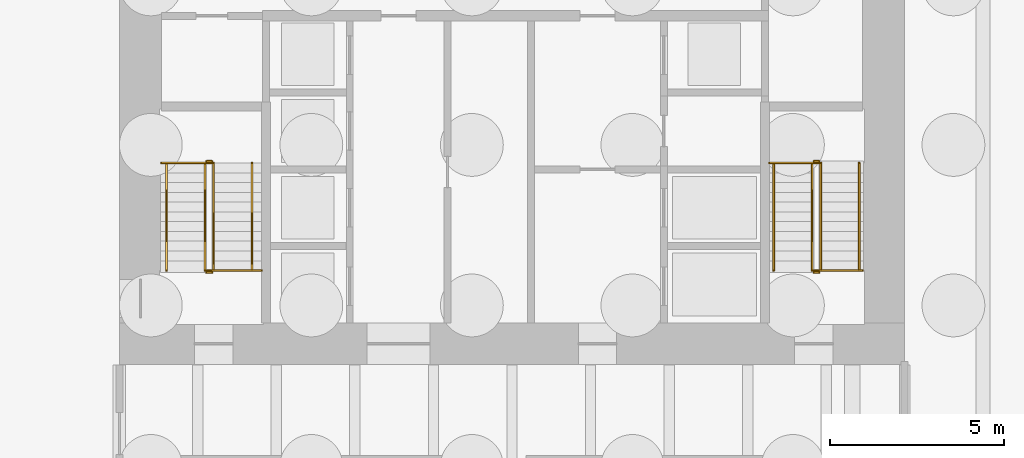
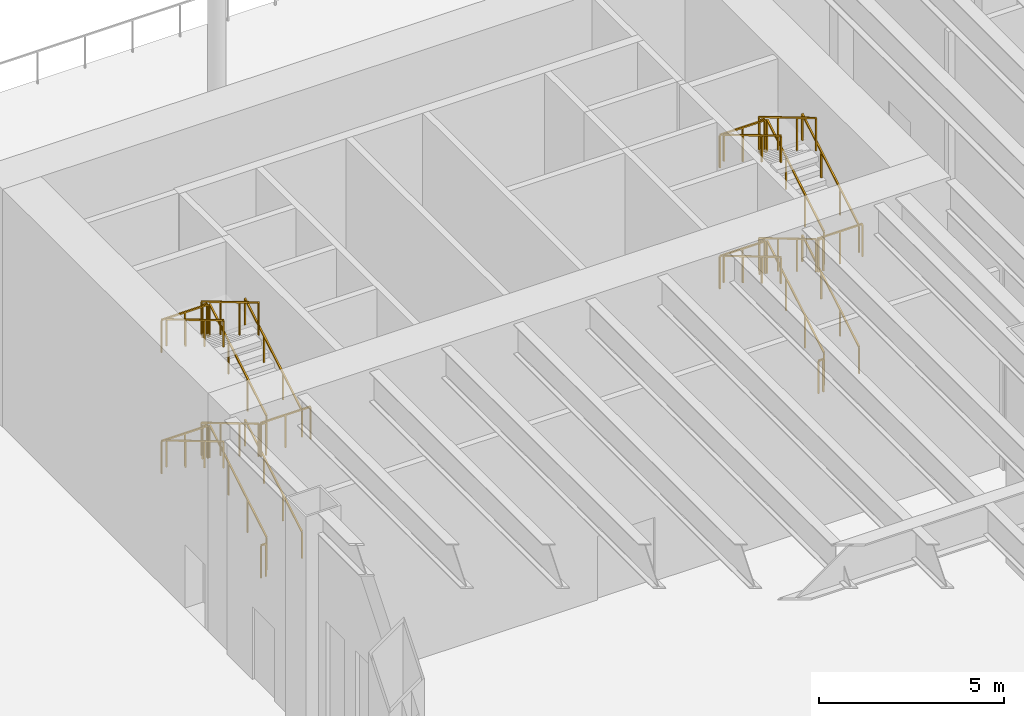
# One storey, part 19 of 26: 30 railings.
"""IFC4 building model written with IfcOpenShell, lengths in metres."""

import ifcopenshell
import ifcopenshell.guid

model = None  # the IFC model being written
_history = None  # IfcOwnerHistory: only IFC2X3 demands one
_inside = {}  # id of a spatial element -> (the spatial element, [elements in it])
_under = {}  # id of a project, library or spatial element -> (it, [spatial elements below it])
_declared = {}  # id of a project -> (the project, [libraries it declares])
_typed = {}  # id of a type object -> (the type object, [elements of that type])
_made_of = {}  # id of a material, layer set ... -> (it, [elements and type objects made of it])


def new_model(schema):
    """Start an empty IFC model of exactly this schema.

    Asked for "IFC4X3", IfcOpenShell would pick the latest addendum, in which some entities
    have other attributes; the version numbers below select the first issue.
    IFC2X3 requires an IfcOwnerHistory on every rooted entity: one is made here for all.
    """
    global model, _history
    if schema == "IFC4X3":
        model = ifcopenshell.file(schema_version=(4, 3, 0, 0))
    else:
        model = ifcopenshell.file(schema=schema)
    _inside.clear()
    _under.clear()
    _declared.clear()
    _typed.clear()
    _made_of.clear()
    _history = None
    if model.schema == "IFC2X3":
        org = make("IfcOrganization", Name="unknown")
        user = make(
            "IfcPersonAndOrganization",
            ThePerson=make("IfcPerson", FamilyName="unknown"),
            TheOrganization=org,
        )
        app = make(
            "IfcApplication",
            ApplicationDeveloper=org,
            Version="unknown",
            ApplicationFullName="unknown",
            ApplicationIdentifier="unknown",
        )
        _history = make(
            "IfcOwnerHistory",
            OwningUser=user,
            OwningApplication=app,
            ChangeAction="ADDED",
            CreationDate=0,
        )
    return model


def make(cls, **values):
    """One entity of the class cls with the attributes given. An attribute that is None is left unset."""
    return model.create_entity(
        cls, **{name: value for name, value in values.items() if value is not None}
    )


def rooted(cls, **values):
    """An entity with a GlobalId (a new one), such as an element, a storey or a relation."""
    return make(cls, GlobalId=ifcopenshell.guid.new(), OwnerHistory=_history, **values)


def si_unit(unit_type, name, prefix=None):
    """IfcSIUnit, for example si_unit("LENGTHUNIT", "METRE", prefix="MILLI")."""
    return make("IfcSIUnit", UnitType=unit_type, Prefix=prefix, Name=name)


def assignment(units):
    """IfcUnitAssignment: the units of a project."""
    return None if units is None else make("IfcUnitAssignment", Units=units)


def point(xyz):
    """IfcCartesianPoint."""
    return None if xyz is None else make("IfcCartesianPoint", Coordinates=xyz)


def direction(xyz):
    """IfcDirection."""
    return None if xyz is None else make("IfcDirection", DirectionRatios=xyz)


def frame(location, z_axis=None, x_axis=None):
    """IfcAxis2Placement3D, a coordinate frame: its origin and axes. An axis left out is left unset."""
    return make(
        "IfcAxis2Placement3D",
        Location=point(location),
        Axis=direction(z_axis),
        RefDirection=direction(x_axis),
    )


def frame_2d(location, x_axis=None):
    """IfcAxis2Placement2D, a coordinate frame in the plane: its origin and x axis."""
    return make(
        "IfcAxis2Placement2D", Location=point(location), RefDirection=direction(x_axis)
    )


def origin():
    """The frame at (0, 0, 0) with its axes left unset."""
    return frame((0.0, 0.0, 0.0))


def origin_2d():
    """The frame at (0, 0) in the plane with its x axis left unset."""
    return frame_2d((0.0, 0.0))


def place(relative_to, where):
    """IfcLocalPlacement: puts the frame where relative to a parent placement (None: the world)."""
    return make(
        "IfcLocalPlacement", PlacementRelTo=relative_to, RelativePlacement=where
    )


def context(
    kind, dimensions, precision=None, world=None, true_north=None, identifier=None
):
    """IfcGeometricRepresentationContext, for example the 3D "Model" context."""
    return make(
        "IfcGeometricRepresentationContext",
        ContextIdentifier=identifier,
        ContextType=kind,
        CoordinateSpaceDimension=dimensions,
        Precision=precision,
        WorldCoordinateSystem=world,
        TrueNorth=true_north,
    )


def subcontext(parent, identifier, kind, view, scale=None):
    """IfcGeometricRepresentationSubContext, for example "Body" below "Model"."""
    return make(
        "IfcGeometricRepresentationSubContext",
        ContextIdentifier=identifier,
        ContextType=kind,
        ParentContext=parent,
        TargetScale=scale,
        TargetView=view,
    )


def project(units=None, contexts=None):
    """IfcProject with its units and contexts."""
    return rooted(
        "IfcProject",
        Name="project",
        RepresentationContexts=contexts,
        UnitsInContext=assignment(units),
    )


def spatial(cls, under=None, at=None, **own):
    """A site, building, storey or space (cls), placed at a placement, below another one or the project."""
    s = rooted(cls, ObjectPlacement=at, **own)
    if under is not None:
        _under.setdefault(under.id(), (under, []))[1].append(s)
    return s


def profile(cls, at=None, kind="AREA", **sizes):
    """A parametric profile (cls). Its sizes go by their IFC names, for example OverallWidth=200.0."""
    return make(cls, ProfileType=kind, Position=at, **sizes)


def rectangle(**sizes):
    """IfcRectangleProfileDef."""
    return profile("IfcRectangleProfileDef", **sizes)


def extrude(swept, where, along, depth):
    """IfcExtrudedAreaSolid: the profile swept, set in the frame where, extruded along a direction by depth."""
    return make(
        "IfcExtrudedAreaSolid",
        SweptArea=swept,
        Position=where,
        ExtrudedDirection=direction(along),
        Depth=depth,
    )


def shape(context_of_items, identifier, shape_type, items):
    """IfcShapeRepresentation: the items that make up one representation, for example the "Body"."""
    return make(
        "IfcShapeRepresentation",
        ContextOfItems=context_of_items,
        RepresentationIdentifier=identifier,
        RepresentationType=shape_type,
        Items=items,
    )


def material(Name=None, Category=None):
    """IfcMaterial."""
    return make("IfcMaterial", Name=Name, Category=Category)


def made_of(thing, what):
    """Note that an element or type object is made of a material, layer set ...; save() writes the relation."""
    if what is not None:
        _made_of.setdefault(what.id(), (what, []))[1].append(thing)
    return thing


def type_object(cls, material=None, **own):
    """A type object (cls), such as IfcWallType, which elements share."""
    return made_of(rooted(cls, **own), material)


def element(
    cls,
    number,
    at=None,
    inside=None,
    cuts=None,
    type_object=None,
    material=None,
    context=None,
    identifier="Body",
    shape_type=None,
    held_by="IfcProductDefinitionShape",
    body=None,
    shapes=None,
    **own,
):
    """One element of the class cls, such as IfcWall. Its Tag is "e" and its number.

    at: its placement. inside: the storey or other place that contains it. cuts: it is an
    opening in that element (IfcRelVoidsElement). A single representation is given by context,
    identifier, shape_type and body (its items); several are given by shapes. held_by: the class
    of the entity that holds the representations. save() writes the other relations.
    """
    e = rooted(cls, Tag="e%d" % number, ObjectPlacement=at, **own)
    if body is not None:
        shapes = [shape(context, identifier, shape_type, body)]
    if shapes is not None:
        e.Representation = make(held_by, Representations=shapes)
    if inside is not None:
        _inside.setdefault(inside.id(), (inside, []))[1].append(e)
    if cuts is not None:
        rooted(
            "IfcRelVoidsElement", RelatingBuildingElement=cuts, RelatedOpeningElement=e
        )
    if type_object is not None:
        _typed.setdefault(type_object.id(), (type_object, []))[1].append(e)
    return made_of(e, material)


def aggregate(whole, parts):
    """IfcRelAggregates: a whole, such as a stair, and the parts it consists of."""
    return rooted("IfcRelAggregates", RelatingObject=whole, RelatedObjects=parts)


def save(model, path):
    """Write the relations noted so far, then the file.

    IfcRelAggregates (storeys below a building ...), IfcRelContainedInSpatialStructure (elements
    in a storey), IfcRelDefinesByType, IfcRelAssociatesMaterial and IfcRelDeclares: one each for
    every whole, place, type object, material and project.
    """
    for whole, parts in _under.values():
        aggregate(whole, parts)
    for where, things in _inside.values():
        rooted(
            "IfcRelContainedInSpatialStructure",
            RelatedElements=things,
            RelatingStructure=where,
        )
    for kind, things in _typed.values():
        rooted("IfcRelDefinesByType", RelatedObjects=things, RelatingType=kind)
    for what, things in _made_of.values():
        rooted("IfcRelAssociatesMaterial", RelatedObjects=things, RelatingMaterial=what)
    for by, libraries in _declared.values():
        rooted("IfcRelDeclares", RelatingContext=by, RelatedDefinitions=libraries)
    model.write(path)


model = new_model("IFC4")

# Units and contexts
model_context = context("Model", 3, precision=1e-05, world=origin(), true_north=direction((0.0, 1.0)))
body_context = subcontext(model_context, "Body", "Model", "MODEL_VIEW")
ifc_project = project(units=[si_unit("LENGTHUNIT", "METRE"), si_unit("AREAUNIT", "SQUARE_METRE"), si_unit("VOLUMEUNIT", "CUBIC_METRE"), si_unit("PLANEANGLEUNIT", "RADIAN"), si_unit("MASSUNIT", "GRAM", prefix="KILO")], contexts=[model_context])

# Site, building, storey
site_placement = place(None, origin())
site = spatial("IfcSite", under=ifc_project, at=site_placement, CompositionType="ELEMENT")
building_placement = place(site_placement, origin())
building = spatial("IfcBuilding", under=site, at=building_placement, Name="Sennacour Bend Tower", CompositionType="ELEMENT")
storey_placement = place(building_placement, origin())
storey = spatial("IfcBuildingStorey", under=building, at=storey_placement, Name="L00", CompositionType="ELEMENT", Elevation=0.0)

# Railings
ifc_material = material(Name="Stainless steel", Category="steel")
railing_type_1 = type_object("IfcRailingType", Name="RL-GUARD-1100", PredefinedType="GUARDRAIL", material=ifc_material)
railing_1_placement = place(storey_placement, frame((2.699951171875, 38.699951171875, 0.166748046875)))
element("IfcRailing", 1, at=railing_1_placement, inside=storey, type_object=railing_type_1, Name="L00 SB1 stair guard 1", PredefinedType="GUARDRAIL", context=body_context, shape_type="SweptSolid", body=[
    extrude(rectangle(XDim=0.048095703125, YDim=0.048095703125, at=origin_2d()), frame((0.0, 0.0, 1.076171875), z_axis=(0.0, 0.859308565015, 0.511457515432), x_axis=(-1.0, 0.0, 0.0)), (0.0, 0.0, 1.0), 3.58447265625),
    extrude(rectangle(XDim=0.0419921875, YDim=0.0419921875, at=origin_2d()), origin(), (0.0, 0.0, 1.0), 1.052001953125),
    extrude(rectangle(XDim=0.0419921875, YDim=0.0419921875, at=origin_2d()), frame((0.0, 1.026611328125, 0.611083984375)), (0.0, 0.0, 1.0), 1.052001953125),
    extrude(rectangle(XDim=0.0419921875, YDim=0.0419921875, at=origin_2d()), frame((0.0, 2.053466796875, 1.22216796875)), (0.0, 0.0, 1.0), 1.052001953125),
    extrude(rectangle(XDim=0.0419921875, YDim=0.0419921875, at=origin_2d()), frame((0.0, 3.080078125, 1.833251953125)), (0.0, 0.0, 1.0), 1.052001953125),
])
railing_2_placement = place(storey_placement, frame((2.64990234375, 41.830078125, 2.0)))
element("IfcRailing", 2, at=railing_2_placement, inside=storey, type_object=railing_type_1, Name="L00 SB1 stair guard 2", PredefinedType="GUARDRAIL", context=body_context, shape_type="SweptSolid", body=[
    extrude(rectangle(XDim=0.048095703125, YDim=0.048095703125, at=origin_2d()), frame((0.0, 0.0, 1.076171875), z_axis=(-1.0, 0.0, 0.0), x_axis=(0.0, -1.0, 0.0)), (0.0, 0.0, 1.0), 0.14990234375),
    extrude(rectangle(XDim=0.0419921875, YDim=0.0419921875, at=origin_2d()), origin(), (0.0, 0.0, 1.0), 1.052001953125),
    extrude(rectangle(XDim=0.0419921875, YDim=0.0419921875, at=origin_2d()), frame((-0.14990234375, 0.0, 0.0)), (0.0, 0.0, 1.0), 1.052001953125),
])
railing_3_placement = place(storey_placement, frame((2.449951171875, 41.780029296875, 2.166748046875)))
element("IfcRailing", 3, at=railing_3_placement, inside=storey, type_object=railing_type_1, Name="L00 SB1 stair guard 4", PredefinedType="GUARDRAIL", context=body_context, shape_type="SweptSolid", body=[
    extrude(rectangle(XDim=0.048095703125, YDim=0.048095703125, at=origin_2d()), frame((0.0, 0.0, 1.076171875), z_axis=(0.0, -0.859308565015, 0.511457515432), x_axis=(1.0, 0.0, 0.0)), (0.0, 0.0, 1.0), 3.58447265625),
    extrude(rectangle(XDim=0.0419921875, YDim=0.0419921875, at=origin_2d()), origin(), (0.0, 0.0, 1.0), 1.052001953125),
    extrude(rectangle(XDim=0.0419921875, YDim=0.0419921875, at=origin_2d()), frame((0.0, -1.026611328125, 0.611083984375)), (0.0, 0.0, 1.0), 1.052001953125),
    extrude(rectangle(XDim=0.0419921875, YDim=0.0419921875, at=origin_2d()), frame((0.0, -2.053466796875, 1.22216796875)), (0.0, 0.0, 1.0), 1.052001953125),
    extrude(rectangle(XDim=0.0419921875, YDim=0.0419921875, at=origin_2d()), frame((0.0, -3.080078125, 1.833251953125)), (0.0, 0.0, 1.0), 1.052001953125),
])
railing_4_placement = place(storey_placement, frame((2.64990234375, 38.64990234375, 4.0)))
element("IfcRailing", 4, at=railing_4_placement, inside=storey, type_object=railing_type_1, Name="L00 SB1 stair guard 5", PredefinedType="GUARDRAIL", context=body_context, shape_type="SweptSolid", body=[
    extrude(rectangle(XDim=0.048095703125, YDim=0.048095703125, at=origin_2d()), frame((0.0, 0.0, 1.076171875), z_axis=(-1.0, 0.0, 0.0), x_axis=(0.0, -1.0, 0.0)), (0.0, 0.0, 1.0), 0.14990234375),
    extrude(rectangle(XDim=0.0419921875, YDim=0.0419921875, at=origin_2d()), origin(), (0.0, 0.0, 1.0), 1.052001953125),
    extrude(rectangle(XDim=0.0419921875, YDim=0.0419921875, at=origin_2d()), frame((-0.14990234375, 0.0, 0.0)), (0.0, 0.0, 1.0), 1.052001953125),
])
railing_5_placement = place(storey_placement, frame((2.699951171875, 38.699951171875, 4.166748046875)))
element("IfcRailing", 5, at=railing_5_placement, inside=storey, type_object=railing_type_1, Name="L00 SB1 stair guard 8", PredefinedType="GUARDRAIL", context=body_context, shape_type="SweptSolid", body=[
    extrude(rectangle(XDim=0.048095703125, YDim=0.048095703125, at=origin_2d()), frame((0.0, 0.0, 1.076171875), z_axis=(0.0, 0.859308565015, 0.511457515432), x_axis=(-1.0, 0.0, 0.0)), (0.0, 0.0, 1.0), 3.58447265625),
    extrude(rectangle(XDim=0.0419921875, YDim=0.0419921875, at=origin_2d()), origin(), (0.0, 0.0, 1.0), 1.052001953125),
    extrude(rectangle(XDim=0.0419921875, YDim=0.0419921875, at=origin_2d()), frame((0.0, 1.026611328125, 0.611083984375)), (0.0, 0.0, 1.0), 1.052001953125),
    extrude(rectangle(XDim=0.0419921875, YDim=0.0419921875, at=origin_2d()), frame((0.0, 2.053466796875, 1.22216796875)), (0.0, 0.0, 1.0), 1.052001953125),
    extrude(rectangle(XDim=0.0419921875, YDim=0.0419921875, at=origin_2d()), frame((0.0, 3.080078125, 1.833251953125)), (0.0, 0.0, 1.0), 1.052001953125),
])
railing_6_placement = place(storey_placement, frame((2.64990234375, 41.830078125, 6.0)))
element("IfcRailing", 6, at=railing_6_placement, inside=storey, type_object=railing_type_1, Name="L00 SB1 stair guard 9", PredefinedType="GUARDRAIL", context=body_context, shape_type="SweptSolid", body=[
    extrude(rectangle(XDim=0.048095703125, YDim=0.048095703125, at=origin_2d()), frame((0.0, 0.0, 1.076171875), z_axis=(-1.0, 0.0, 0.0), x_axis=(0.0, -1.0, 0.0)), (0.0, 0.0, 1.0), 0.14990234375),
    extrude(rectangle(XDim=0.0419921875, YDim=0.0419921875, at=origin_2d()), origin(), (0.0, 0.0, 1.0), 1.052001953125),
    extrude(rectangle(XDim=0.0419921875, YDim=0.0419921875, at=origin_2d()), frame((-0.14990234375, 0.0, 0.0)), (0.0, 0.0, 1.0), 1.052001953125),
])
railing_7_placement = place(storey_placement, frame((2.449951171875, 41.780029296875, 6.166748046875)))
element("IfcRailing", 7, at=railing_7_placement, inside=storey, type_object=railing_type_1, Name="L00 SB1 stair guard 11", PredefinedType="GUARDRAIL", context=body_context, shape_type="SweptSolid", body=[
    extrude(rectangle(XDim=0.048095703125, YDim=0.048095703125, at=origin_2d()), frame((0.0, 0.0, 1.076171875), z_axis=(0.0, -0.859308565015, 0.511457515432), x_axis=(1.0, 0.0, 0.0)), (0.0, 0.0, 1.0), 3.58447265625),
    extrude(rectangle(XDim=0.0419921875, YDim=0.0419921875, at=origin_2d()), origin(), (0.0, 0.0, 1.0), 1.052001953125),
    extrude(rectangle(XDim=0.0419921875, YDim=0.0419921875, at=origin_2d()), frame((0.0, -1.026611328125, 0.611083984375)), (0.0, 0.0, 1.0), 1.052001953125),
    extrude(rectangle(XDim=0.0419921875, YDim=0.0419921875, at=origin_2d()), frame((0.0, -2.053466796875, 1.22216796875)), (0.0, 0.0, 1.0), 1.052001953125),
    extrude(rectangle(XDim=0.0419921875, YDim=0.0419921875, at=origin_2d()), frame((0.0, -3.080078125, 1.833251953125)), (0.0, 0.0, 1.0), 1.052001953125),
])
railing_8_placement = place(storey_placement, frame((2.64990234375, 38.64990234375, 0.0)))
element("IfcRailing", 8, at=railing_8_placement, inside=storey, type_object=railing_type_1, Name="L00 SB1 stair guard 12", PredefinedType="GUARDRAIL", context=body_context, shape_type="SweptSolid", body=[
    extrude(rectangle(XDim=0.048095703125, YDim=0.048095703125, at=origin_2d()), frame((0.0, 0.0, 1.076171875), z_axis=(-1.0, 0.0, 0.0), x_axis=(0.0, -1.0, 0.0)), (0.0, 0.0, 1.0), 0.14990234375),
    extrude(rectangle(XDim=0.0419921875, YDim=0.0419921875, at=origin_2d()), origin(), (0.0, 0.0, 1.0), 1.052001953125),
    extrude(rectangle(XDim=0.0419921875, YDim=0.0419921875, at=origin_2d()), frame((-0.14990234375, 0.0, 0.0)), (0.0, 0.0, 1.0), 1.052001953125),
])
railing_9_placement = place(storey_placement, frame((2.64990234375, 41.780029296875, 2.0)))
element("IfcRailing", 9, at=railing_9_placement, inside=storey, type_object=railing_type_1, Name="L00 SB1 landing edge guard 1", PredefinedType="GUARDRAIL", context=body_context, shape_type="SweptSolid", body=[
    extrude(rectangle(XDim=0.048095703125, YDim=0.048095703125, at=origin_2d()), frame((0.0, 0.0, 1.076171875), z_axis=(-1.0, 0.0, 0.0), x_axis=(0.0, -1.0, 0.0)), (0.0, 0.0, 1.0), 1.449951171875),
    extrude(rectangle(XDim=0.0419921875, YDim=0.0419921875, at=origin_2d()), origin(), (0.0, 0.0, 1.0), 1.052001953125),
    extrude(rectangle(XDim=0.0419921875, YDim=0.0419921875, at=origin_2d()), frame((-0.72509765625, 0.0, 0.0)), (0.0, 0.0, 1.0), 1.052001953125),
    extrude(rectangle(XDim=0.0419921875, YDim=0.0419921875, at=origin_2d()), frame((-1.449951171875, 0.0, 0.0)), (0.0, 0.0, 1.0), 1.052001953125),
])
railing_10_placement = place(storey_placement, frame((2.5, 38.699951171875, 4.0)))
element("IfcRailing", 10, at=railing_10_placement, inside=storey, type_object=railing_type_1, Name="L00 SB1 landing edge guard 2", PredefinedType="GUARDRAIL", context=body_context, shape_type="SweptSolid", body=[
    extrude(rectangle(XDim=0.048095703125, YDim=0.048095703125, at=origin_2d()), frame((0.0, 0.0, 1.076171875), z_axis=(1.0, 0.0, 0.0), x_axis=(0.0, 1.0, 0.0)), (0.0, 0.0, 1.0), 1.574951171875),
    extrude(rectangle(XDim=0.0419921875, YDim=0.0419921875, at=origin_2d()), origin(), (0.0, 0.0, 1.0), 1.052001953125),
    extrude(rectangle(XDim=0.0419921875, YDim=0.0419921875, at=origin_2d()), frame((0.78759765625, 0.0, 0.0)), (0.0, 0.0, 1.0), 1.052001953125),
    extrude(rectangle(XDim=0.0419921875, YDim=0.0419921875, at=origin_2d()), frame((1.574951171875, 0.0, 0.0)), (0.0, 0.0, 1.0), 1.052001953125),
])
railing_11_placement = place(storey_placement, frame((2.64990234375, 41.780029296875, 6.0)))
element("IfcRailing", 11, at=railing_11_placement, inside=storey, type_object=railing_type_1, Name="L00 SB1 landing edge guard 3", PredefinedType="GUARDRAIL", context=body_context, shape_type="SweptSolid", body=[
    extrude(rectangle(XDim=0.048095703125, YDim=0.048095703125, at=origin_2d()), frame((0.0, 0.0, 1.076171875), z_axis=(-1.0, 0.0, 0.0), x_axis=(0.0, -1.0, 0.0)), (0.0, 0.0, 1.0), 1.449951171875),
    extrude(rectangle(XDim=0.0419921875, YDim=0.0419921875, at=origin_2d()), origin(), (0.0, 0.0, 1.0), 1.052001953125),
    extrude(rectangle(XDim=0.0419921875, YDim=0.0419921875, at=origin_2d()), frame((-0.72509765625, 0.0, 0.0)), (0.0, 0.0, 1.0), 1.052001953125),
    extrude(rectangle(XDim=0.0419921875, YDim=0.0419921875, at=origin_2d()), frame((-1.449951171875, 0.0, 0.0)), (0.0, 0.0, 1.0), 1.052001953125),
])
railing_12_placement = place(storey_placement, frame((20.10009765625, 38.699951171875, 0.166748046875)))
element("IfcRailing", 12, at=railing_12_placement, inside=storey, type_object=railing_type_1, Name="L00 SB2 stair guard 1", PredefinedType="GUARDRAIL", context=body_context, shape_type="SweptSolid", body=[
    extrude(rectangle(XDim=0.048095703125, YDim=0.048095703125, at=origin_2d()), frame((0.0, 0.0, 1.076171875), z_axis=(0.0, 0.859308565015, 0.511457515432), x_axis=(-1.0, 0.0, 0.0)), (0.0, 0.0, 1.0), 3.58447265625),
    extrude(rectangle(XDim=0.0419921875, YDim=0.0419921875, at=origin_2d()), origin(), (0.0, 0.0, 1.0), 1.052001953125),
    extrude(rectangle(XDim=0.0419921875, YDim=0.0419921875, at=origin_2d()), frame((0.0, 1.026611328125, 0.611083984375)), (0.0, 0.0, 1.0), 1.052001953125),
    extrude(rectangle(XDim=0.0419921875, YDim=0.0419921875, at=origin_2d()), frame((0.0, 2.053466796875, 1.22216796875)), (0.0, 0.0, 1.0), 1.052001953125),
    extrude(rectangle(XDim=0.0419921875, YDim=0.0419921875, at=origin_2d()), frame((0.0, 3.080078125, 1.833251953125)), (0.0, 0.0, 1.0), 1.052001953125),
])
railing_13_placement = place(storey_placement, frame((20.050048828125, 41.830078125, 2.0)))
element("IfcRailing", 13, at=railing_13_placement, inside=storey, type_object=railing_type_1, Name="L00 SB2 stair guard 2", PredefinedType="GUARDRAIL", context=body_context, shape_type="SweptSolid", body=[
    extrude(rectangle(XDim=0.048095703125, YDim=0.048095703125, at=origin_2d()), frame((0.0, 0.0, 1.076171875), z_axis=(-1.0, 0.0, 0.0), x_axis=(0.0, -1.0, 0.0)), (0.0, 0.0, 1.0), 0.150146484375),
    extrude(rectangle(XDim=0.0419921875, YDim=0.0419921875, at=origin_2d()), origin(), (0.0, 0.0, 1.0), 1.052001953125),
    extrude(rectangle(XDim=0.0419921875, YDim=0.0419921875, at=origin_2d()), frame((-0.150146484375, 0.0, 0.0)), (0.0, 0.0, 1.0), 1.052001953125),
])
railing_14_placement = place(storey_placement, frame((19.85009765625, 41.780029296875, 2.166748046875)))
element("IfcRailing", 14, at=railing_14_placement, inside=storey, type_object=railing_type_1, Name="L00 SB2 stair guard 4", PredefinedType="GUARDRAIL", context=body_context, shape_type="SweptSolid", body=[
    extrude(rectangle(XDim=0.048095703125, YDim=0.048095703125, at=origin_2d()), frame((0.0, 0.0, 1.076171875), z_axis=(0.0, -0.859308565015, 0.511457515432), x_axis=(1.0, 0.0, 0.0)), (0.0, 0.0, 1.0), 3.58447265625),
    extrude(rectangle(XDim=0.0419921875, YDim=0.0419921875, at=origin_2d()), origin(), (0.0, 0.0, 1.0), 1.052001953125),
    extrude(rectangle(XDim=0.0419921875, YDim=0.0419921875, at=origin_2d()), frame((0.0, -1.026611328125, 0.611083984375)), (0.0, 0.0, 1.0), 1.052001953125),
    extrude(rectangle(XDim=0.0419921875, YDim=0.0419921875, at=origin_2d()), frame((0.0, -2.053466796875, 1.22216796875)), (0.0, 0.0, 1.0), 1.052001953125),
    extrude(rectangle(XDim=0.0419921875, YDim=0.0419921875, at=origin_2d()), frame((0.0, -3.080078125, 1.833251953125)), (0.0, 0.0, 1.0), 1.052001953125),
])
railing_15_placement = place(storey_placement, frame((20.050048828125, 38.64990234375, 4.0)))
element("IfcRailing", 15, at=railing_15_placement, inside=storey, type_object=railing_type_1, Name="L00 SB2 stair guard 5", PredefinedType="GUARDRAIL", context=body_context, shape_type="SweptSolid", body=[
    extrude(rectangle(XDim=0.048095703125, YDim=0.048095703125, at=origin_2d()), frame((0.0, 0.0, 1.076171875), z_axis=(-1.0, 0.0, 0.0), x_axis=(0.0, -1.0, 0.0)), (0.0, 0.0, 1.0), 0.150146484375),
    extrude(rectangle(XDim=0.0419921875, YDim=0.0419921875, at=origin_2d()), origin(), (0.0, 0.0, 1.0), 1.052001953125),
    extrude(rectangle(XDim=0.0419921875, YDim=0.0419921875, at=origin_2d()), frame((-0.150146484375, 0.0, 0.0)), (0.0, 0.0, 1.0), 1.052001953125),
])
railing_16_placement = place(storey_placement, frame((20.10009765625, 38.699951171875, 4.166748046875)))
element("IfcRailing", 16, at=railing_16_placement, inside=storey, type_object=railing_type_1, Name="L00 SB2 stair guard 8", PredefinedType="GUARDRAIL", context=body_context, shape_type="SweptSolid", body=[
    extrude(rectangle(XDim=0.048095703125, YDim=0.048095703125, at=origin_2d()), frame((0.0, 0.0, 1.076171875), z_axis=(0.0, 0.859308565015, 0.511457515432), x_axis=(-1.0, 0.0, 0.0)), (0.0, 0.0, 1.0), 3.58447265625),
    extrude(rectangle(XDim=0.0419921875, YDim=0.0419921875, at=origin_2d()), origin(), (0.0, 0.0, 1.0), 1.052001953125),
    extrude(rectangle(XDim=0.0419921875, YDim=0.0419921875, at=origin_2d()), frame((0.0, 1.026611328125, 0.611083984375)), (0.0, 0.0, 1.0), 1.052001953125),
    extrude(rectangle(XDim=0.0419921875, YDim=0.0419921875, at=origin_2d()), frame((0.0, 2.053466796875, 1.22216796875)), (0.0, 0.0, 1.0), 1.052001953125),
    extrude(rectangle(XDim=0.0419921875, YDim=0.0419921875, at=origin_2d()), frame((0.0, 3.080078125, 1.833251953125)), (0.0, 0.0, 1.0), 1.052001953125),
])
railing_17_placement = place(storey_placement, frame((20.050048828125, 41.830078125, 6.0)))
element("IfcRailing", 17, at=railing_17_placement, inside=storey, type_object=railing_type_1, Name="L00 SB2 stair guard 9", PredefinedType="GUARDRAIL", context=body_context, shape_type="SweptSolid", body=[
    extrude(rectangle(XDim=0.048095703125, YDim=0.048095703125, at=origin_2d()), frame((0.0, 0.0, 1.076171875), z_axis=(-1.0, 0.0, 0.0), x_axis=(0.0, -1.0, 0.0)), (0.0, 0.0, 1.0), 0.150146484375),
    extrude(rectangle(XDim=0.0419921875, YDim=0.0419921875, at=origin_2d()), origin(), (0.0, 0.0, 1.0), 1.052001953125),
    extrude(rectangle(XDim=0.0419921875, YDim=0.0419921875, at=origin_2d()), frame((-0.150146484375, 0.0, 0.0)), (0.0, 0.0, 1.0), 1.052001953125),
])
railing_18_placement = place(storey_placement, frame((19.85009765625, 41.780029296875, 6.166748046875)))
element("IfcRailing", 18, at=railing_18_placement, inside=storey, type_object=railing_type_1, Name="L00 SB2 stair guard 11", PredefinedType="GUARDRAIL", context=body_context, shape_type="SweptSolid", body=[
    extrude(rectangle(XDim=0.048095703125, YDim=0.048095703125, at=origin_2d()), frame((0.0, 0.0, 1.076171875), z_axis=(0.0, -0.859308565015, 0.511457515432), x_axis=(1.0, 0.0, 0.0)), (0.0, 0.0, 1.0), 3.58447265625),
    extrude(rectangle(XDim=0.0419921875, YDim=0.0419921875, at=origin_2d()), origin(), (0.0, 0.0, 1.0), 1.052001953125),
    extrude(rectangle(XDim=0.0419921875, YDim=0.0419921875, at=origin_2d()), frame((0.0, -1.026611328125, 0.611083984375)), (0.0, 0.0, 1.0), 1.052001953125),
    extrude(rectangle(XDim=0.0419921875, YDim=0.0419921875, at=origin_2d()), frame((0.0, -2.053466796875, 1.22216796875)), (0.0, 0.0, 1.0), 1.052001953125),
    extrude(rectangle(XDim=0.0419921875, YDim=0.0419921875, at=origin_2d()), frame((0.0, -3.080078125, 1.833251953125)), (0.0, 0.0, 1.0), 1.052001953125),
])
railing_19_placement = place(storey_placement, frame((20.050048828125, 38.64990234375, 0.0)))
element("IfcRailing", 19, at=railing_19_placement, inside=storey, type_object=railing_type_1, Name="L00 SB2 stair guard 12", PredefinedType="GUARDRAIL", context=body_context, shape_type="SweptSolid", body=[
    extrude(rectangle(XDim=0.048095703125, YDim=0.048095703125, at=origin_2d()), frame((0.0, 0.0, 1.076171875), z_axis=(-1.0, 0.0, 0.0), x_axis=(0.0, -1.0, 0.0)), (0.0, 0.0, 1.0), 0.150146484375),
    extrude(rectangle(XDim=0.0419921875, YDim=0.0419921875, at=origin_2d()), origin(), (0.0, 0.0, 1.0), 1.052001953125),
    extrude(rectangle(XDim=0.0419921875, YDim=0.0419921875, at=origin_2d()), frame((-0.150146484375, 0.0, 0.0)), (0.0, 0.0, 1.0), 1.052001953125),
])
railing_20_placement = place(storey_placement, frame((20.050048828125, 41.780029296875, 2.0)))
element("IfcRailing", 20, at=railing_20_placement, inside=storey, type_object=railing_type_1, Name="L00 SB2 landing edge guard 1", PredefinedType="GUARDRAIL", context=body_context, shape_type="SweptSolid", body=[
    extrude(rectangle(XDim=0.048095703125, YDim=0.048095703125, at=origin_2d()), frame((0.0, 0.0, 1.076171875), z_axis=(-1.0, 0.0, 0.0), x_axis=(0.0, -1.0, 0.0)), (0.0, 0.0, 1.0), 1.425048828125),
    extrude(rectangle(XDim=0.0419921875, YDim=0.0419921875, at=origin_2d()), origin(), (0.0, 0.0, 1.0), 1.052001953125),
    extrude(rectangle(XDim=0.0419921875, YDim=0.0419921875, at=origin_2d()), frame((-0.71240234375, 0.0, 0.0)), (0.0, 0.0, 1.0), 1.052001953125),
    extrude(rectangle(XDim=0.0419921875, YDim=0.0419921875, at=origin_2d()), frame((-1.425048828125, 0.0, 0.0)), (0.0, 0.0, 1.0), 1.052001953125),
])
railing_21_placement = place(storey_placement, frame((19.89990234375, 38.699951171875, 4.0)))
element("IfcRailing", 21, at=railing_21_placement, inside=storey, type_object=railing_type_1, Name="L00 SB2 landing edge guard 2", PredefinedType="GUARDRAIL", context=body_context, shape_type="SweptSolid", body=[
    extrude(rectangle(XDim=0.048095703125, YDim=0.048095703125, at=origin_2d()), frame((0.0, 0.0, 1.076171875), z_axis=(1.0, 0.0, 0.0), x_axis=(0.0, 1.0, 0.0)), (0.0, 0.0, 1.0), 1.400146484375),
    extrude(rectangle(XDim=0.0419921875, YDim=0.0419921875, at=origin_2d()), origin(), (0.0, 0.0, 1.0), 1.052001953125),
    extrude(rectangle(XDim=0.0419921875, YDim=0.0419921875, at=origin_2d()), frame((0.7001953125, 0.0, 0.0)), (0.0, 0.0, 1.0), 1.052001953125),
    extrude(rectangle(XDim=0.0419921875, YDim=0.0419921875, at=origin_2d()), frame((1.400146484375, 0.0, 0.0)), (0.0, 0.0, 1.0), 1.052001953125),
])
railing_22_placement = place(storey_placement, frame((20.050048828125, 41.780029296875, 6.0)))
element("IfcRailing", 22, at=railing_22_placement, inside=storey, type_object=railing_type_1, Name="L00 SB2 landing edge guard 3", PredefinedType="GUARDRAIL", context=body_context, shape_type="SweptSolid", body=[
    extrude(rectangle(XDim=0.048095703125, YDim=0.048095703125, at=origin_2d()), frame((0.0, 0.0, 1.076171875), z_axis=(-1.0, 0.0, 0.0), x_axis=(0.0, -1.0, 0.0)), (0.0, 0.0, 1.0), 1.425048828125),
    extrude(rectangle(XDim=0.0419921875, YDim=0.0419921875, at=origin_2d()), origin(), (0.0, 0.0, 1.0), 1.052001953125),
    extrude(rectangle(XDim=0.0419921875, YDim=0.0419921875, at=origin_2d()), frame((-0.71240234375, 0.0, 0.0)), (0.0, 0.0, 1.0), 1.052001953125),
    extrude(rectangle(XDim=0.0419921875, YDim=0.0419921875, at=origin_2d()), frame((-1.425048828125, 0.0, 0.0)), (0.0, 0.0, 1.0), 1.052001953125),
])
railing_type_2 = type_object("IfcRailingType", Name="RL-HANDRAIL-900", PredefinedType="HANDRAIL", material=ifc_material)
railing_23_placement = place(storey_placement, frame((3.800048828125, 38.699951171875, 0.166748046875)))
element("IfcRailing", 23, at=railing_23_placement, inside=storey, type_object=railing_type_2, Name="L00 SB1 stair handrail 1", PredefinedType="HANDRAIL", context=body_context, shape_type="SweptSolid", body=[
    extrude(rectangle(XDim=0.048095703125, YDim=0.048095703125, at=origin_2d()), frame((0.0, 0.0, 0.8759765625), z_axis=(0.0, 0.859308565015, 0.511457515432), x_axis=(-1.0, 0.0, 0.0)), (0.0, 0.0, 1.0), 3.58447265625),
    extrude(rectangle(XDim=0.0419921875, YDim=0.0419921875, at=origin_2d()), origin(), (0.0, 0.0, 1.0), 0.851806640625),
    extrude(rectangle(XDim=0.0419921875, YDim=0.0419921875, at=origin_2d()), frame((0.0, 1.026611328125, 0.611083984375)), (0.0, 0.0, 1.0), 0.851806640625),
    extrude(rectangle(XDim=0.0419921875, YDim=0.0419921875, at=origin_2d()), frame((0.0, 2.053466796875, 1.22216796875)), (0.0, 0.0, 1.0), 0.851806640625),
    extrude(rectangle(XDim=0.0419921875, YDim=0.0419921875, at=origin_2d()), frame((0.0, 3.080078125, 1.833251953125)), (0.0, 0.0, 1.0), 0.851806640625),
])
railing_24_placement = place(storey_placement, frame((1.35009765625, 41.780029296875, 2.166748046875)))
element("IfcRailing", 24, at=railing_24_placement, inside=storey, type_object=railing_type_2, Name="L00 SB1 stair handrail 2", PredefinedType="HANDRAIL", context=body_context, shape_type="SweptSolid", body=[
    extrude(rectangle(XDim=0.048095703125, YDim=0.048095703125, at=origin_2d()), frame((0.0, 0.0, 0.8759765625), z_axis=(0.0, -0.859308565015, 0.511457515432), x_axis=(1.0, 0.0, 0.0)), (0.0, 0.0, 1.0), 3.58447265625),
    extrude(rectangle(XDim=0.0419921875, YDim=0.0419921875, at=origin_2d()), origin(), (0.0, 0.0, 1.0), 0.851806640625),
    extrude(rectangle(XDim=0.0419921875, YDim=0.0419921875, at=origin_2d()), frame((0.0, -1.026611328125, 0.611083984375)), (0.0, 0.0, 1.0), 0.851806640625),
    extrude(rectangle(XDim=0.0419921875, YDim=0.0419921875, at=origin_2d()), frame((0.0, -2.053466796875, 1.22216796875)), (0.0, 0.0, 1.0), 0.851806640625),
    extrude(rectangle(XDim=0.0419921875, YDim=0.0419921875, at=origin_2d()), frame((0.0, -3.080078125, 1.833251953125)), (0.0, 0.0, 1.0), 0.851806640625),
])
railing_25_placement = place(storey_placement, frame((3.800048828125, 38.699951171875, 4.166748046875)))
element("IfcRailing", 25, at=railing_25_placement, inside=storey, type_object=railing_type_2, Name="L00 SB1 stair handrail 3", PredefinedType="HANDRAIL", context=body_context, shape_type="SweptSolid", body=[
    extrude(rectangle(XDim=0.048095703125, YDim=0.048095703125, at=origin_2d()), frame((0.0, 0.0, 0.8759765625), z_axis=(0.0, 0.859308565015, 0.511457515432), x_axis=(-1.0, 0.0, 0.0)), (0.0, 0.0, 1.0), 3.58447265625),
    extrude(rectangle(XDim=0.0419921875, YDim=0.0419921875, at=origin_2d()), origin(), (0.0, 0.0, 1.0), 0.851806640625),
    extrude(rectangle(XDim=0.0419921875, YDim=0.0419921875, at=origin_2d()), frame((0.0, 1.026611328125, 0.611083984375)), (0.0, 0.0, 1.0), 0.851806640625),
    extrude(rectangle(XDim=0.0419921875, YDim=0.0419921875, at=origin_2d()), frame((0.0, 2.053466796875, 1.22216796875)), (0.0, 0.0, 1.0), 0.851806640625),
    extrude(rectangle(XDim=0.0419921875, YDim=0.0419921875, at=origin_2d()), frame((0.0, 3.080078125, 1.833251953125)), (0.0, 0.0, 1.0), 0.851806640625),
])
railing_26_placement = place(storey_placement, frame((1.35009765625, 41.780029296875, 6.166748046875)))
element("IfcRailing", 26, at=railing_26_placement, inside=storey, type_object=railing_type_2, Name="L00 SB1 stair handrail 4", PredefinedType="HANDRAIL", context=body_context, shape_type="SweptSolid", body=[
    extrude(rectangle(XDim=0.048095703125, YDim=0.048095703125, at=origin_2d()), frame((0.0, 0.0, 0.8759765625), z_axis=(0.0, -0.859308565015, 0.511457515432), x_axis=(1.0, 0.0, 0.0)), (0.0, 0.0, 1.0), 3.58447265625),
    extrude(rectangle(XDim=0.0419921875, YDim=0.0419921875, at=origin_2d()), origin(), (0.0, 0.0, 1.0), 0.851806640625),
    extrude(rectangle(XDim=0.0419921875, YDim=0.0419921875, at=origin_2d()), frame((0.0, -1.026611328125, 0.611083984375)), (0.0, 0.0, 1.0), 0.851806640625),
    extrude(rectangle(XDim=0.0419921875, YDim=0.0419921875, at=origin_2d()), frame((0.0, -2.053466796875, 1.22216796875)), (0.0, 0.0, 1.0), 0.851806640625),
    extrude(rectangle(XDim=0.0419921875, YDim=0.0419921875, at=origin_2d()), frame((0.0, -3.080078125, 1.833251953125)), (0.0, 0.0, 1.0), 0.851806640625),
])
railing_27_placement = place(storey_placement, frame((21.199951171875, 38.699951171875, 0.166748046875)))
element("IfcRailing", 27, at=railing_27_placement, inside=storey, type_object=railing_type_2, Name="L00 SB2 stair handrail 1", PredefinedType="HANDRAIL", context=body_context, shape_type="SweptSolid", body=[
    extrude(rectangle(XDim=0.048095703125, YDim=0.048095703125, at=origin_2d()), frame((0.0, 0.0, 0.8759765625), z_axis=(0.0, 0.859308565015, 0.511457515432), x_axis=(-1.0, 0.0, 0.0)), (0.0, 0.0, 1.0), 3.58447265625),
    extrude(rectangle(XDim=0.0419921875, YDim=0.0419921875, at=origin_2d()), origin(), (0.0, 0.0, 1.0), 0.851806640625),
    extrude(rectangle(XDim=0.0419921875, YDim=0.0419921875, at=origin_2d()), frame((0.0, 1.026611328125, 0.611083984375)), (0.0, 0.0, 1.0), 0.851806640625),
    extrude(rectangle(XDim=0.0419921875, YDim=0.0419921875, at=origin_2d()), frame((0.0, 2.053466796875, 1.22216796875)), (0.0, 0.0, 1.0), 0.851806640625),
    extrude(rectangle(XDim=0.0419921875, YDim=0.0419921875, at=origin_2d()), frame((0.0, 3.080078125, 1.833251953125)), (0.0, 0.0, 1.0), 0.851806640625),
])
railing_28_placement = place(storey_placement, frame((18.75, 41.780029296875, 2.166748046875)))
element("IfcRailing", 28, at=railing_28_placement, inside=storey, type_object=railing_type_2, Name="L00 SB2 stair handrail 2", PredefinedType="HANDRAIL", context=body_context, shape_type="SweptSolid", body=[
    extrude(rectangle(XDim=0.048095703125, YDim=0.048095703125, at=origin_2d()), frame((0.0, 0.0, 0.8759765625), z_axis=(0.0, -0.859308565015, 0.511457515432), x_axis=(1.0, 0.0, 0.0)), (0.0, 0.0, 1.0), 3.58447265625),
    extrude(rectangle(XDim=0.0419921875, YDim=0.0419921875, at=origin_2d()), origin(), (0.0, 0.0, 1.0), 0.851806640625),
    extrude(rectangle(XDim=0.0419921875, YDim=0.0419921875, at=origin_2d()), frame((0.0, -1.026611328125, 0.611083984375)), (0.0, 0.0, 1.0), 0.851806640625),
    extrude(rectangle(XDim=0.0419921875, YDim=0.0419921875, at=origin_2d()), frame((0.0, -2.053466796875, 1.22216796875)), (0.0, 0.0, 1.0), 0.851806640625),
    extrude(rectangle(XDim=0.0419921875, YDim=0.0419921875, at=origin_2d()), frame((0.0, -3.080078125, 1.833251953125)), (0.0, 0.0, 1.0), 0.851806640625),
])
railing_29_placement = place(storey_placement, frame((21.199951171875, 38.699951171875, 4.166748046875)))
element("IfcRailing", 29, at=railing_29_placement, inside=storey, type_object=railing_type_2, Name="L00 SB2 stair handrail 3", PredefinedType="HANDRAIL", context=body_context, shape_type="SweptSolid", body=[
    extrude(rectangle(XDim=0.048095703125, YDim=0.048095703125, at=origin_2d()), frame((0.0, 0.0, 0.8759765625), z_axis=(0.0, 0.859308565015, 0.511457515432), x_axis=(-1.0, 0.0, 0.0)), (0.0, 0.0, 1.0), 3.58447265625),
    extrude(rectangle(XDim=0.0419921875, YDim=0.0419921875, at=origin_2d()), origin(), (0.0, 0.0, 1.0), 0.851806640625),
    extrude(rectangle(XDim=0.0419921875, YDim=0.0419921875, at=origin_2d()), frame((0.0, 1.026611328125, 0.611083984375)), (0.0, 0.0, 1.0), 0.851806640625),
    extrude(rectangle(XDim=0.0419921875, YDim=0.0419921875, at=origin_2d()), frame((0.0, 2.053466796875, 1.22216796875)), (0.0, 0.0, 1.0), 0.851806640625),
    extrude(rectangle(XDim=0.0419921875, YDim=0.0419921875, at=origin_2d()), frame((0.0, 3.080078125, 1.833251953125)), (0.0, 0.0, 1.0), 0.851806640625),
])
railing_30_placement = place(storey_placement, frame((18.75, 41.780029296875, 6.166748046875)))
element("IfcRailing", 30, at=railing_30_placement, inside=storey, type_object=railing_type_2, Name="L00 SB2 stair handrail 4", PredefinedType="HANDRAIL", context=body_context, shape_type="SweptSolid", body=[
    extrude(rectangle(XDim=0.048095703125, YDim=0.048095703125, at=origin_2d()), frame((0.0, 0.0, 0.8759765625), z_axis=(0.0, -0.859308565015, 0.511457515432), x_axis=(1.0, 0.0, 0.0)), (0.0, 0.0, 1.0), 3.58447265625),
    extrude(rectangle(XDim=0.0419921875, YDim=0.0419921875, at=origin_2d()), origin(), (0.0, 0.0, 1.0), 0.851806640625),
    extrude(rectangle(XDim=0.0419921875, YDim=0.0419921875, at=origin_2d()), frame((0.0, -1.026611328125, 0.611083984375)), (0.0, 0.0, 1.0), 0.851806640625),
    extrude(rectangle(XDim=0.0419921875, YDim=0.0419921875, at=origin_2d()), frame((0.0, -2.053466796875, 1.22216796875)), (0.0, 0.0, 1.0), 0.851806640625),
    extrude(rectangle(XDim=0.0419921875, YDim=0.0419921875, at=origin_2d()), frame((0.0, -3.080078125, 1.833251953125)), (0.0, 0.0, 1.0), 0.851806640625),
])

save(model, "model.ifc")
